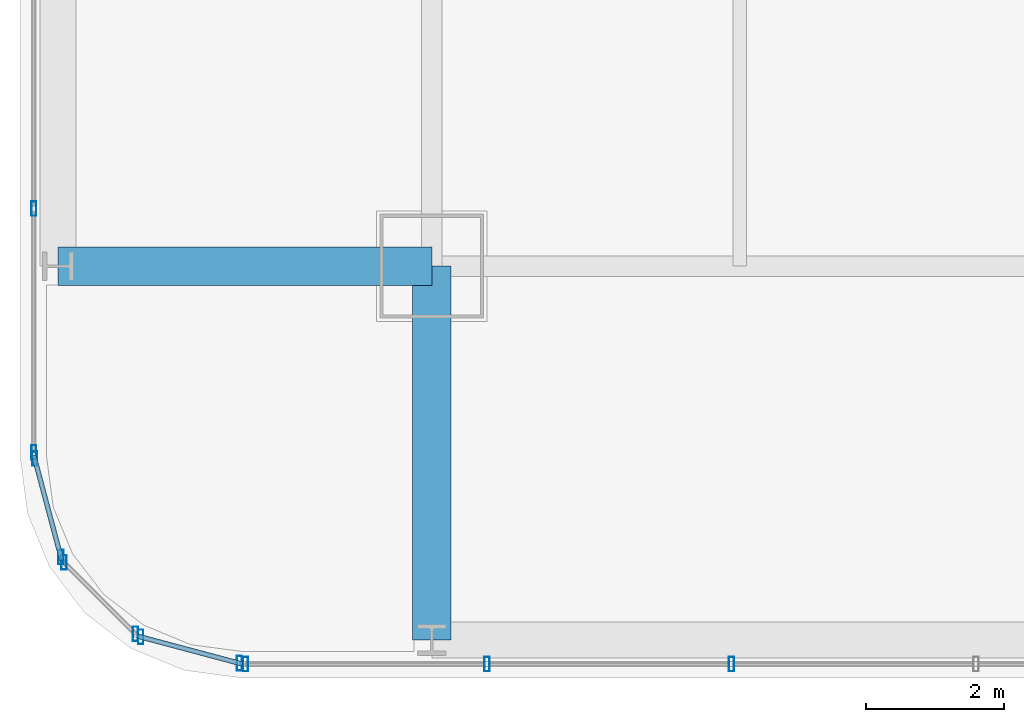
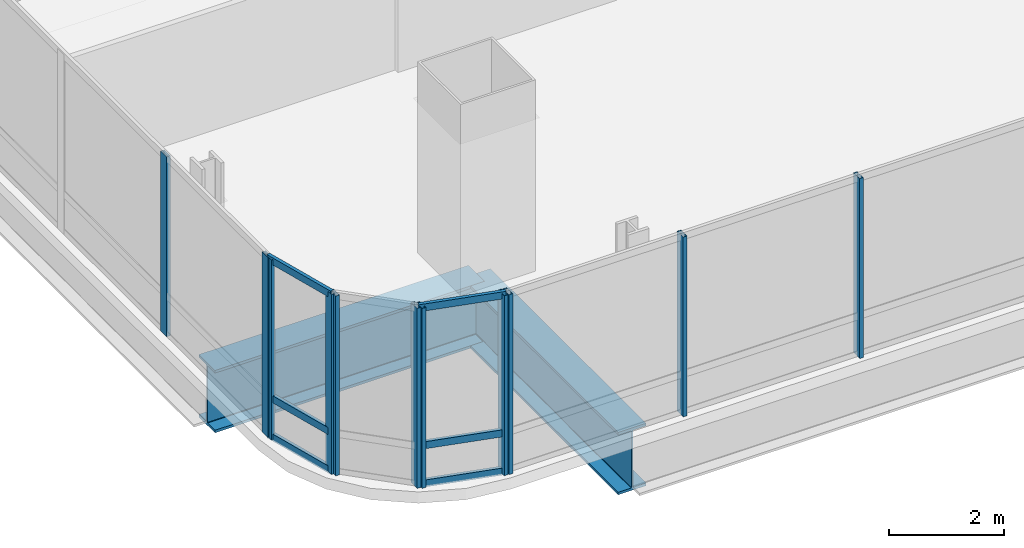
# One storey, part 2 of 36: 17 members, 2 beams, 5 elements without a shape of their own.
"""IFC4 building model written with IfcOpenShell, lengths in metres."""

from ifc_helpers import new_model, si_unit, direction, frame, origin, origin_2d, place, context, subcontext, project, spatial, hollow_rectangle, i_section, extrude, material, material_profile, profile_set, type_object, element, aggregate, save


model = new_model("IFC4")

# Units and contexts
model_context = context("Model", 3, precision=1e-05, world=origin(), true_north=direction((0.0, 1.0)))
body_context = subcontext(model_context, "Body", "Model", "MODEL_VIEW")
ifc_project = project(units=[si_unit("LENGTHUNIT", "METRE"), si_unit("AREAUNIT", "SQUARE_METRE"), si_unit("VOLUMEUNIT", "CUBIC_METRE"), si_unit("PLANEANGLEUNIT", "RADIAN"), si_unit("MASSUNIT", "GRAM", prefix="KILO")], contexts=[model_context])

# Site, building, storey
site_placement = place(None, origin())
site = spatial("IfcSite", under=ifc_project, at=site_placement, CompositionType="ELEMENT")
building_placement = place(site_placement, origin())
building = spatial("IfcBuilding", under=site, at=building_placement, Name="Punatoya Terracotta Tower", CompositionType="ELEMENT")
storey_placement = place(building_placement, frame((0.0, 0.0, 32.25)))
storey = spatial("IfcBuildingStorey", under=building, at=storey_placement, Name="L06", CompositionType="ELEMENT", Elevation=32.25)

# Beams
ifc_material_1 = material(Name="Steel S460", Category="steel")
ifc_material_profile_1 = material_profile(ifc_material_1, i_section(OverallWidth=0.56005859375, OverallDepth=1.320068359375, WebThickness=0.035888671875, FlangeThickness=0.054931640625, FilletRadius=0.01806640625, at=origin_2d()))
ifc_profile_set_1 = profile_set([ifc_material_profile_1], Name="Steel S460")
beam_type = type_object("IfcBeamType", Name="BM-TG-BLK", PredefinedType="BEAM", material=ifc_profile_set_1)
for number, where, z_axis, x_axis, name in (
    (1, (-24.5, -17.5, -0.89990234375), (1.0, 0.0, 0.0), (0.0, 1.0, 0.0), "BM-L06-CANT-W1"),
    (2, (-19.10009765625, -22.89990234375, -0.89990234375), (0.0, 1.0, 0.0), (-1.0, 0.0, 0.0), "BM-L06-CANT-S1"),
):
    element("IfcBeam", number, at=place(storey_placement, frame(where, z_axis=z_axis, x_axis=x_axis)), inside=storey, type_object=beam_type, Name=name, PredefinedType="BEAM", context=body_context, shape_type="SweptSolid", body=[
        extrude(i_section(OverallWidth=0.56005859375, OverallDepth=1.320068359375, WebThickness=0.035888671875, FlangeThickness=0.054931640625, FilletRadius=0.01806640625, at=origin_2d()), origin(), (0.0, 0.0, 1.0), 5.39990234375),
    ])

# Curtain wall, members
ifc_material_2 = material(Name="Aluminium 6063-T6 + Double Low-E Glass", Category="aluminium")
curtain_wall_type = type_object("IfcCurtainWallType", Name="CW-M1", PredefinedType="NOTDEFINED", material=ifc_material_2)
curtain_wall_1_placement = place(storey_placement, origin())
curtain_wall_1 = element("IfcCurtainWall", 3, at=curtain_wall_1_placement, inside=storey, type_object=curtain_wall_type, Name="L06 Curtain Wall CW-L06-S01-1", PredefinedType="NOTDEFINED")
ifc_material_3 = material(Name="Aluminium 6063-T6", Category="aluminium")
ifc_material_profile_2 = material_profile(ifc_material_3, hollow_rectangle(XDim=0.074951171875, YDim=0.2099609375, WallThickness=0.00439453125, at=origin_2d()))
ifc_profile_set_2 = profile_set([ifc_material_profile_2], Name="Aluminium 6063-T6")
member_type_1 = type_object("IfcMemberType", Name="CW-MUL-M1", PredefinedType="MULLION", material=ifc_profile_set_2)
member_1_placement = place(storey_placement, frame((-21.7919921875, -23.25, 0.0), z_axis=(0.0, 0.0, 1.0), x_axis=(1.0, 0.0, 0.0)))
member_1 = element("IfcMember", 4, at=member_1_placement, type_object=member_type_1, Name="CW-L06-S01-1 Mullion 00", PredefinedType="MULLION", context=body_context, shape_type="SweptSolid", body=[
    extrude(hollow_rectangle(XDim=0.074951171875, YDim=0.2099609375, WallThickness=0.00439453125, at=origin_2d()), origin(), (0.0, 0.0, 1.0), 3.81005859375),
])
member_2_placement = place(storey_placement, frame((-18.302978515625, -23.25, 0.0), z_axis=(0.0, 0.0, 1.0), x_axis=(1.0, 0.0, 0.0)))
member_2 = element("IfcMember", 5, at=member_2_placement, type_object=member_type_1, Name="CW-L06-S01-1 Mullion 01", PredefinedType="MULLION", context=body_context, shape_type="SweptSolid", body=[
    extrude(hollow_rectangle(XDim=0.074951171875, YDim=0.2099609375, WallThickness=0.00439453125, at=origin_2d()), origin(), (0.0, 0.0, 1.0), 3.81005859375),
])
member_3_placement = place(storey_placement, frame((-14.768798828125, -23.25, 0.0), z_axis=(0.0, 0.0, 1.0), x_axis=(1.0, 0.0, 0.0)))
member_3 = element("IfcMember", 6, at=member_3_placement, type_object=member_type_1, Name="CW-L06-S01-1 Mullion 02", PredefinedType="MULLION", context=body_context, shape_type="SweptSolid", body=[
    extrude(hollow_rectangle(XDim=0.074951171875, YDim=0.2099609375, WallThickness=0.00439453125, at=origin_2d()), origin(), (0.0, 0.0, 1.0), 3.81005859375),
])
aggregate(curtain_wall_1, [member_1, member_2, member_3])

curtain_wall_2_placement = place(storey_placement, origin())
curtain_wall_2 = element("IfcCurtainWall", 7, at=curtain_wall_2_placement, inside=storey, type_object=curtain_wall_type, Name="L06 Curtain Wall CW-L06-W13-1", PredefinedType="NOTDEFINED")
member_4_placement = place(storey_placement, frame((-24.85009765625, -16.66943359375, 0.0), z_axis=(0.0, 0.0, 1.0), x_axis=(1.0, 0.0, 0.0)))
member_4 = element("IfcMember", 8, at=member_4_placement, type_object=member_type_1, Name="CW-L06-W13-1 Mullion 09", PredefinedType="MULLION", context=body_context, shape_type="SweptSolid", body=[
    extrude(hollow_rectangle(XDim=0.074951171875, YDim=0.2099609375, WallThickness=0.00439453125, at=origin_2d()), origin(), (0.0, 0.0, 1.0), 3.81005859375),
])
member_5_placement = place(storey_placement, frame((-24.85009765625, -20.19189453125, 0.0), z_axis=(0.0, 0.0, 1.0), x_axis=(1.0, 0.0, 0.0)))
member_5 = element("IfcMember", 9, at=member_5_placement, type_object=member_type_1, Name="CW-L06-W13-1 Mullion 10", PredefinedType="MULLION", context=body_context, shape_type="SweptSolid", body=[
    extrude(hollow_rectangle(XDim=0.074951171875, YDim=0.2099609375, WallThickness=0.00439453125, at=origin_2d()), origin(), (0.0, 0.0, 1.0), 3.81005859375),
])
aggregate(curtain_wall_2, [member_4, member_5])

curtain_wall_3_placement = place(storey_placement, origin())
curtain_wall_3 = element("IfcCurtainWall", 10, at=curtain_wall_3_placement, inside=storey, type_object=curtain_wall_type, Name="L06 Curtain Wall CW-L06-CRN14", PredefinedType="NOTDEFINED")
member_6_placement = place(storey_placement, frame((-24.83837890625, -20.280517578125, 0.0), z_axis=(0.0, 0.0, 1.0), x_axis=(1.0, 0.0, 0.0)))
member_6 = element("IfcMember", 11, at=member_6_placement, type_object=member_type_1, Name="CW-L06-CRN14 Mullion 00", PredefinedType="MULLION", context=body_context, shape_type="SweptSolid", body=[
    extrude(hollow_rectangle(XDim=0.074951171875, YDim=0.2099609375, WallThickness=0.00439453125, at=origin_2d()), origin(), (0.0, 0.0, 1.0), 3.81005859375),
])
member_7_placement = place(storey_placement, frame((-24.458251953125, -21.70556640625, 0.0), z_axis=(0.0, 0.0, 1.0), x_axis=(1.0, 0.0, 0.0)))
member_7 = element("IfcMember", 12, at=member_7_placement, type_object=member_type_1, Name="CW-L06-CRN14 Mullion 01", PredefinedType="MULLION", context=body_context, shape_type="SweptSolid", body=[
    extrude(hollow_rectangle(XDim=0.074951171875, YDim=0.2099609375, WallThickness=0.00439453125, at=origin_2d()), origin(), (0.0, 0.0, 1.0), 3.81005859375),
])

curtain_wall_4_placement = place(storey_placement, origin())
curtain_wall_4 = element("IfcCurtainWall", 13, at=curtain_wall_4_placement, inside=storey, type_object=curtain_wall_type, Name="L06 Curtain Wall CW-L06-CRN15", PredefinedType="NOTDEFINED")
member_8_placement = place(storey_placement, frame((-24.414794921875, -21.781005859375, 0.0), z_axis=(0.0, 0.0, 1.0), x_axis=(1.0, 0.0, 0.0)))
member_8 = element("IfcMember", 14, at=member_8_placement, type_object=member_type_1, Name="CW-L06-CRN15 Mullion 00", PredefinedType="MULLION", context=body_context, shape_type="SweptSolid", body=[
    extrude(hollow_rectangle(XDim=0.074951171875, YDim=0.2099609375, WallThickness=0.00439453125, at=origin_2d()), origin(), (0.0, 0.0, 1.0), 3.81005859375),
])
member_9_placement = place(storey_placement, frame((-23.380859375, -22.814697265625, 0.0), z_axis=(0.0, 0.0, 1.0), x_axis=(1.0, 0.0, 0.0)))
member_9 = element("IfcMember", 15, at=member_9_placement, type_object=member_type_1, Name="CW-L06-CRN15 Mullion 01", PredefinedType="MULLION", context=body_context, shape_type="SweptSolid", body=[
    extrude(hollow_rectangle(XDim=0.074951171875, YDim=0.2099609375, WallThickness=0.00439453125, at=origin_2d()), origin(), (0.0, 0.0, 1.0), 3.81005859375),
])
aggregate(curtain_wall_4, [member_8, member_9])

curtain_wall_5_placement = place(storey_placement, origin())
curtain_wall_5 = element("IfcCurtainWall", 16, at=curtain_wall_5_placement, inside=storey, type_object=curtain_wall_type, Name="L06 Curtain Wall CW-L06-CRN16", PredefinedType="NOTDEFINED")
member_10_placement = place(storey_placement, frame((-23.3056640625, -22.858154296875, 0.0), z_axis=(0.0, 0.0, 1.0), x_axis=(1.0, 0.0, 0.0)))
member_10 = element("IfcMember", 17, at=member_10_placement, type_object=member_type_1, Name="CW-L06-CRN16 Mullion 00", PredefinedType="MULLION", context=body_context, shape_type="SweptSolid", body=[
    extrude(hollow_rectangle(XDim=0.074951171875, YDim=0.2099609375, WallThickness=0.00439453125, at=origin_2d()), origin(), (0.0, 0.0, 1.0), 3.81005859375),
])
member_11_placement = place(storey_placement, frame((-21.88037109375, -23.23828125, 0.0), z_axis=(0.0, 0.0, 1.0), x_axis=(1.0, 0.0, 0.0)))
member_11 = element("IfcMember", 18, at=member_11_placement, type_object=member_type_1, Name="CW-L06-CRN16 Mullion 01", PredefinedType="MULLION", context=body_context, shape_type="SweptSolid", body=[
    extrude(hollow_rectangle(XDim=0.074951171875, YDim=0.2099609375, WallThickness=0.00439453125, at=origin_2d()), origin(), (0.0, 0.0, 1.0), 3.81005859375),
])

# Member
ifc_material_profile_3 = material_profile(ifc_material_3, hollow_rectangle(XDim=0.068115234375, YDim=0.14990234375, WallThickness=0.00390625, at=origin_2d()))
ifc_profile_set_3 = profile_set([ifc_material_profile_3], Name="Aluminium 6063-T6")
member_type_2 = type_object("IfcMemberType", Name="CW-TRN-TYP", PredefinedType="USERDEFINED", material=ifc_profile_set_3)
member_12_placement = place(storey_placement, frame((-24.85009765625, -20.23681640625, 0.0400390625), z_axis=(0.257847112249, -0.966185730957, 0.0), x_axis=(0.966185730957, 0.257847112249, 0.0)))
member_12 = element("IfcMember", 19, at=member_12_placement, type_object=member_type_2, Name="CW-L06-CRN14 Transom 1", ObjectType="TRANSOM", PredefinedType="USERDEFINED", context=body_context, shape_type="SweptSolid", body=[
    extrude(hollow_rectangle(XDim=0.068115234375, YDim=0.14990234375, WallThickness=0.00390625, at=origin_2d()), origin(), (0.0, 0.0, 1.0), 1.565185546875),
])

member_13_placement = place(storey_placement, frame((-24.85009765625, -20.23681640625, 0.85009765625), z_axis=(0.257847112249, -0.966185730957, 0.0), x_axis=(0.966185730957, 0.257847112249, 0.0)))
member_13 = element("IfcMember", 20, at=member_13_placement, type_object=member_type_2, Name="CW-L06-CRN14 Transom 2", ObjectType="TRANSOM", PredefinedType="USERDEFINED", context=body_context, shape_type="SweptSolid", body=[
    extrude(hollow_rectangle(XDim=0.068115234375, YDim=0.14990234375, WallThickness=0.00390625, at=origin_2d()), origin(), (0.0, 0.0, 1.0), 1.565185546875),
])

member_14_placement = place(storey_placement, frame((-24.85009765625, -20.23681640625, 3.77001953125), z_axis=(0.257847112249, -0.966185730957, 0.0), x_axis=(0.966185730957, 0.257847112249, 0.0)))
member_14 = element("IfcMember", 21, at=member_14_placement, type_object=member_type_2, Name="CW-L06-CRN14 Transom 3", ObjectType="TRANSOM", PredefinedType="USERDEFINED", context=body_context, shape_type="SweptSolid", body=[
    extrude(hollow_rectangle(XDim=0.068115234375, YDim=0.14990234375, WallThickness=0.00390625, at=origin_2d()), origin(), (0.0, 0.0, 1.0), 1.565185546875),
])

aggregate(curtain_wall_3, [member_6, member_7, member_12, member_13, member_14])

member_15_placement = place(storey_placement, frame((-23.34912109375, -22.8466796875, 0.0400390625), z_axis=(0.966224582397, -0.257701486942, 0.0), x_axis=(0.257701486942, 0.966224582397, 0.0)))
member_15 = element("IfcMember", 22, at=member_15_placement, type_object=member_type_2, Name="CW-L06-CRN16 Transom 1", ObjectType="TRANSOM", PredefinedType="USERDEFINED", context=body_context, shape_type="SweptSolid", body=[
    extrude(hollow_rectangle(XDim=0.068115234375, YDim=0.14990234375, WallThickness=0.00390625, at=origin_2d()), origin(), (0.0, 0.0, 1.0), 1.565185546875),
])

member_16_placement = place(storey_placement, frame((-23.34912109375, -22.8466796875, 0.85009765625), z_axis=(0.966224582397, -0.257701486942, 0.0), x_axis=(0.257701486942, 0.966224582397, 0.0)))
member_16 = element("IfcMember", 23, at=member_16_placement, type_object=member_type_2, Name="CW-L06-CRN16 Transom 2", ObjectType="TRANSOM", PredefinedType="USERDEFINED", context=body_context, shape_type="SweptSolid", body=[
    extrude(hollow_rectangle(XDim=0.068115234375, YDim=0.14990234375, WallThickness=0.00390625, at=origin_2d()), origin(), (0.0, 0.0, 1.0), 1.565185546875),
])

member_17_placement = place(storey_placement, frame((-23.34912109375, -22.8466796875, 3.77001953125), z_axis=(0.966224582397, -0.257701486942, 0.0), x_axis=(0.257701486942, 0.966224582397, 0.0)))
member_17 = element("IfcMember", 24, at=member_17_placement, type_object=member_type_2, Name="CW-L06-CRN16 Transom 3", ObjectType="TRANSOM", PredefinedType="USERDEFINED", context=body_context, shape_type="SweptSolid", body=[
    extrude(hollow_rectangle(XDim=0.068115234375, YDim=0.14990234375, WallThickness=0.00390625, at=origin_2d()), origin(), (0.0, 0.0, 1.0), 1.565185546875),
])

aggregate(curtain_wall_5, [member_10, member_11, member_15, member_16, member_17])

save(model, "model.ifc")
